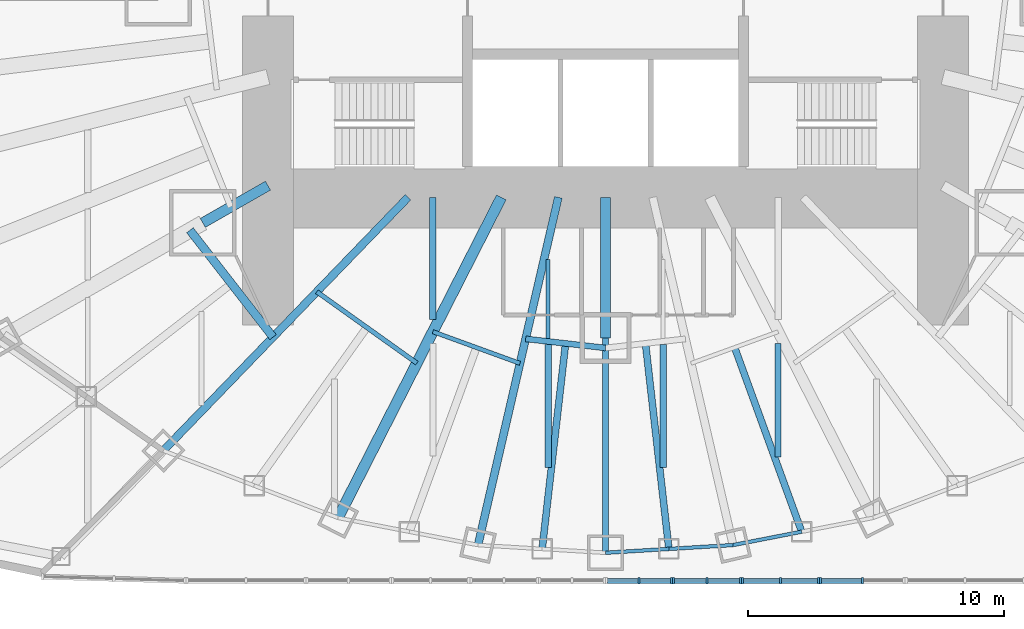
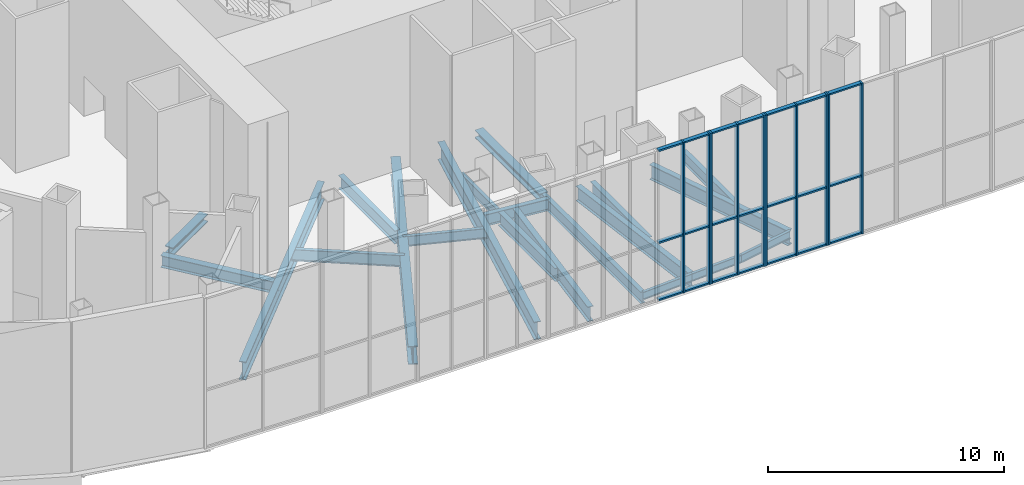
# One storey, part 4 of 74: 31 members, 21 beams, 4 elements without a shape of their own.
"""IFC4 building model written with IfcOpenShell, lengths in metres."""

from ifc_helpers import new_model, si_unit, direction, frame, origin, origin_2d, place, context, subcontext, project, spatial, rectangle, i_section, extrude, material, material_profile, profile_set, type_object, element, aggregate, save


model = new_model("IFC4")

# Units and contexts
model_context = context("Model", 3, precision=1e-05, world=origin(), true_north=direction((0.0, 1.0)))
body_context = subcontext(model_context, "Body", "Model", "MODEL_VIEW")
ifc_project = project(units=[si_unit("LENGTHUNIT", "METRE"), si_unit("AREAUNIT", "SQUARE_METRE"), si_unit("VOLUMEUNIT", "CUBIC_METRE"), si_unit("PLANEANGLEUNIT", "RADIAN"), si_unit("MASSUNIT", "GRAM", prefix="KILO")], contexts=[model_context])

# Site, building, storey
site_placement = place(None, origin())
site = spatial("IfcSite", under=ifc_project, at=site_placement, CompositionType="ELEMENT")
building_placement = place(site_placement, origin())
building = spatial("IfcBuilding", under=site, at=building_placement, Name="Lantaw Convention Tower", CompositionType="ELEMENT")
storey_placement = place(building_placement, frame((0.0, 0.0, 6.5)))
storey = spatial("IfcBuildingStorey", under=building, at=storey_placement, Name="L01", CompositionType="ELEMENT", Elevation=6.5)

# Beams
ifc_material_1 = material(Name="Steel ASTM A992", Category="steel")
ifc_material_profile_1 = material_profile(ifc_material_1, i_section(OverallWidth=0.140380859375, OverallDepth=0.40380859375, WebThickness=0.007080078125, FlangeThickness=0.01123046875, FilletRadius=0.01025390625, at=origin_2d()), Name="W16X31")
ifc_profile_set_1 = profile_set([ifc_material_profile_1], Name="Steel ASTM A992")
beam_type_1 = type_object("IfcBeamType", Name="Beam E W16X31", PredefinedType="SPANDREL", material=ifc_profile_set_1)
beam_1_placement = place(storey_placement, frame((0.0, -21.89990234375, -0.40185546875), z_axis=(0.998175328335, 0.060382231685, 0.0), x_axis=(-0.060382231685, 0.998175328335, 0.0)))
element("IfcBeam", 1, at=beam_1_placement, inside=storey, type_object=beam_type_1, Name="Edge beam 19", PredefinedType="SPANDREL", context=body_context, shape_type="SweptSolid", body=[
    extrude(i_section(OverallWidth=0.140380859375, OverallDepth=0.40380859375, WebThickness=0.007080078125, FlangeThickness=0.01123046875, FilletRadius=0.01025390625, at=origin_2d()), origin(), (0.0, 0.0, 1.0), 2.482666015625),
])
beam_2_placement = place(storey_placement, frame((2.47802734375, -21.75, -0.40185546875), z_axis=(0.998172405641, 0.060430527186, 0.0), x_axis=(-0.060430527186, 0.998172405641, 0.0)))
element("IfcBeam", 2, at=beam_2_placement, inside=storey, type_object=beam_type_1, Name="Edge beam 19", PredefinedType="SPANDREL", context=body_context, shape_type="SweptSolid", body=[
    extrude(i_section(OverallWidth=0.140380859375, OverallDepth=0.40380859375, WebThickness=0.007080078125, FlangeThickness=0.01123046875, FilletRadius=0.01025390625, at=origin_2d()), origin(), (0.0, 0.0, 1.0), 2.512939453125),
])
beam_3_placement = place(storey_placement, frame((4.986328125, -21.59814453125, -0.40185546875), z_axis=(0.981637218105, 0.190757364289, 0.0), x_axis=(-0.190757364289, 0.981637218105, 0.0)))
element("IfcBeam", 3, at=beam_3_placement, inside=storey, type_object=beam_type_1, Name="Edge beam 20", PredefinedType="SPANDREL", context=body_context, shape_type="SweptSolid", body=[
    extrude(i_section(OverallWidth=0.140380859375, OverallDepth=0.40380859375, WebThickness=0.007080078125, FlangeThickness=0.01123046875, FilletRadius=0.01025390625, at=origin_2d()), origin(), (0.0, 0.0, 1.0), 2.735107421875),
])
ifc_material_profile_2 = material_profile(ifc_material_1, i_section(OverallWidth=0.227783203125, OverallDepth=0.60205078125, WebThickness=0.010498046875, FlangeThickness=0.014892578125, FilletRadius=0.012939453125, at=origin_2d()), Name="W24X68")
ifc_profile_set_2 = profile_set([ifc_material_profile_2], Name="Steel ASTM A992")
beam_type_2 = type_object("IfcBeamType", Name="Beam G W24X68", PredefinedType="BEAM", material=ifc_profile_set_2)
beam_4_placement = place(storey_placement, frame((0.0, -13.5, -0.5009765625), z_axis=(0.0, -1.0, 0.0), x_axis=(1.0, 0.0, 0.0)))
element("IfcBeam", 4, at=beam_4_placement, inside=storey, type_object=beam_type_2, Name="Floor girder on ray 19", PredefinedType="BEAM", context=body_context, shape_type="SweptSolid", body=[
    extrude(i_section(OverallWidth=0.227783203125, OverallDepth=0.60205078125, WebThickness=0.010498046875, FlangeThickness=0.014892578125, FilletRadius=0.012939453125, at=origin_2d()), origin(), (0.0, 0.0, 1.0), 8.39990234375),
])
ifc_material_profile_3 = material_profile(ifc_material_1, i_section(OverallWidth=0.2666015625, OverallDepth=0.7568359375, WebThickness=0.013916015625, FlangeThickness=0.019287109375, FilletRadius=0.0126953125, at=origin_2d()), Name="W30X108")
ifc_profile_set_3 = profile_set([ifc_material_profile_3], Name="Steel ASTM A992")
beam_type_3 = type_object("IfcBeamType", Name="Beam G W30X108", PredefinedType="BEAM", material=ifc_profile_set_3)
beam_5_placement = place(storey_placement, frame((1.5625, -13.713134765625, -0.578369140625), z_axis=(0.113183957156, -0.993574049501, 0.0), x_axis=(0.993574049501, 0.113183957156, 0.0)))
element("IfcBeam", 5, at=beam_5_placement, inside=storey, type_object=beam_type_3, Name="Floor girder on bisector 19", PredefinedType="BEAM", context=body_context, shape_type="SweptSolid", body=[
    extrude(i_section(OverallWidth=0.2666015625, OverallDepth=0.7568359375, WebThickness=0.013916015625, FlangeThickness=0.019287109375, FilletRadius=0.0126953125, at=origin_2d()), origin(), (0.0, 0.0, 1.0), 8.0888671875),
])
ifc_material_profile_4 = material_profile(ifc_material_1, i_section(OverallWidth=0.2666015625, OverallDepth=0.76953125, WebThickness=0.015625, FlangeThickness=0.025390625, FilletRadius=0.0126953125, at=origin_2d()), Name="W30X132")
ifc_profile_set_4 = profile_set([ifc_material_profile_4], Name="Steel ASTM A992")
beam_type_4 = type_object("IfcBeamType", Name="Beam G W30X132", PredefinedType="BEAM", material=ifc_profile_set_4)
beam_6_placement = place(storey_placement, frame((-1.5625, -13.713134765625, -0.584716796875), z_axis=(-0.113183957156, -0.993574049501, 0.0), x_axis=(0.993574049501, -0.113183957156, 0.0)))
element("IfcBeam", 6, at=beam_6_placement, inside=storey, type_object=beam_type_4, Name="Floor girder on bisector 18", PredefinedType="BEAM", context=body_context, shape_type="SweptSolid", body=[
    extrude(i_section(OverallWidth=0.2666015625, OverallDepth=0.76953125, WebThickness=0.015625, FlangeThickness=0.025390625, FilletRadius=0.0126953125, at=origin_2d()), origin(), (0.0, 0.0, 1.0), 8.0888671875),
])
beam_7_placement = place(storey_placement, frame((5.04931640625, -13.873046875, -0.584716796875), z_axis=(0.342021781151, -0.939692024664, 0.0), x_axis=(0.939692024664, 0.342021781151, 0.0)))
element("IfcBeam", 7, at=beam_7_placement, inside=storey, type_object=beam_type_4, Name="Floor girder on bisector 20", PredefinedType="BEAM", context=body_context, shape_type="SweptSolid", body=[
    extrude(i_section(OverallWidth=0.2666015625, OverallDepth=0.76953125, WebThickness=0.015625, FlangeThickness=0.025390625, FilletRadius=0.0126953125, at=origin_2d()), origin(), (0.0, 0.0, 1.0), 7.665771484375),
])
ifc_material_profile_5 = material_profile(ifc_material_1, i_section(OverallWidth=0.307373046875, OverallDepth=0.922119140625, WebThickness=0.018310546875, FlangeThickness=0.030029296875, FilletRadius=0.0126953125, at=origin_2d()), Name="W36X182")
ifc_profile_set_5 = profile_set([ifc_material_profile_5], Name="Steel ASTM A992")
beam_type_5 = type_object("IfcBeamType", Name="Beam G W36X182", PredefinedType="BEAM", material=ifc_profile_set_5)
beam_8_placement = place(storey_placement, frame((-1.846923828125, -8.0, -0.660888671875), z_axis=(-0.224952773175, -0.97436966796, 0.0), x_axis=(0.97436966796, -0.224952773175, 0.0)))
element("IfcBeam", 8, at=beam_8_placement, inside=storey, type_object=beam_type_5, Name="Floor girder on ray 18", PredefinedType="BEAM", context=body_context, shape_type="SweptSolid", body=[
    extrude(i_section(OverallWidth=0.307373046875, OverallDepth=0.922119140625, WebThickness=0.018310546875, FlangeThickness=0.030029296875, FilletRadius=0.0126953125, at=origin_2d()), origin(), (0.0, 0.0, 1.0), 13.955810546875),
])
ifc_material_profile_6 = material_profile(ifc_material_1, i_section(OverallWidth=0.307373046875, OverallDepth=0.9423828125, WebThickness=0.022216796875, FlangeThickness=0.039794921875, FilletRadius=0.0126953125, at=origin_2d()), Name="W36X232")
ifc_profile_set_6 = profile_set([ifc_material_profile_6], Name="Steel ASTM A992")
beam_type_6 = type_object("IfcBeamType", Name="Beam G W36X232", PredefinedType="BEAM", material=ifc_profile_set_6)
beam_9_placement = place(storey_placement, frame((-7.7255859375, -8.0, -0.671142578125), z_axis=(-0.694649884291, -0.719347995239, 0.0), x_axis=(0.719347995239, -0.694649884291, 0.0)))
element("IfcBeam", 9, at=beam_9_placement, inside=storey, type_object=beam_type_6, Name="Floor girder on ray 16", PredefinedType="BEAM", context=body_context, shape_type="SweptSolid", body=[
    extrude(i_section(OverallWidth=0.307373046875, OverallDepth=0.9423828125, WebThickness=0.022216796875, FlangeThickness=0.039794921875, FilletRadius=0.0126953125, at=origin_2d()), origin(), (0.0, 0.0, 1.0), 13.769775390625),
])
ifc_material_profile_7 = material_profile(ifc_material_1, i_section(OverallWidth=0.424072265625, OverallDepth=0.947509765625, WebThickness=0.02392578125, FlangeThickness=0.042724609375, FilletRadius=0.012451171875, at=origin_2d()), Name="W36X302")
ifc_profile_set_7 = profile_set([ifc_material_profile_7], Name="Steel ASTM A992")
beam_type_7 = type_object("IfcBeamType", Name="Beam G W36X302", PredefinedType="BEAM", material=ifc_profile_set_7)
beam_10_placement = place(storey_placement, frame((-4.076171875, -8.0, -0.673828125), z_axis=(-0.453997016122, -0.891003203896, 0.0), x_axis=(0.891003203896, -0.453997016122, 0.0)))
element("IfcBeam", 10, at=beam_10_placement, inside=storey, type_object=beam_type_7, Name="Floor girder on ray 17", PredefinedType="BEAM", context=body_context, shape_type="SweptSolid", body=[
    extrude(i_section(OverallWidth=0.424072265625, OverallDepth=0.947509765625, WebThickness=0.02392578125, FlangeThickness=0.042724609375, FilletRadius=0.012451171875, at=origin_2d()), origin(), (0.0, 0.0, 1.0), 14.067138671875),
])
ifc_material_profile_8 = material_profile(ifc_material_1, i_section(OverallWidth=0.40380859375, OverallDepth=0.406494140625, WebThickness=0.027099609375, FlangeThickness=0.043701171875, FilletRadius=0.01513671875, at=origin_2d()), Name="W14X233")
ifc_profile_set_8 = profile_set([ifc_material_profile_8], Name="Steel ASTM A992")
beam_type_8 = type_object("IfcBeamType", Name="Beam GM W14X233", PredefinedType="BEAM", material=ifc_profile_set_8)
beam_11_placement = place(storey_placement, frame((-13.199951171875, -7.54296875, -0.4033203125), z_axis=(-0.868263603466, -0.496103129295, 0.0), x_axis=(0.496103129295, -0.868263603466, 0.0)))
element("IfcBeam", 11, at=beam_11_placement, inside=storey, type_object=beam_type_8, Name="Core link beam on ray 15", PredefinedType="BEAM", context=body_context, shape_type="SweptSolid", body=[
    extrude(i_section(OverallWidth=0.40380859375, OverallDepth=0.406494140625, WebThickness=0.027099609375, FlangeThickness=0.043701171875, FilletRadius=0.01513671875, at=origin_2d()), origin(), (0.0, 0.0, 1.0), 2.93701171875),
])
beam_12_placement = place(storey_placement, frame((0.0, -8.0, -0.4033203125), z_axis=(0.0, -1.0, 0.0), x_axis=(1.0, 0.0, 0.0)))
element("IfcBeam", 12, at=beam_12_placement, inside=storey, type_object=beam_type_8, Name="Core link beam on ray 19", PredefinedType="BEAM", context=body_context, shape_type="SweptSolid", body=[
    extrude(i_section(OverallWidth=0.40380859375, OverallDepth=0.406494140625, WebThickness=0.027099609375, FlangeThickness=0.043701171875, FilletRadius=0.01513671875, at=origin_2d()), origin(), (0.0, 0.0, 1.0), 5.5),
])
ifc_material_profile_9 = material_profile(ifc_material_1, i_section(OverallWidth=0.1650390625, OverallDepth=0.52587890625, WebThickness=0.0087890625, FlangeThickness=0.011474609375, FilletRadius=0.0126953125, at=origin_2d()), Name="W21X44")
ifc_profile_set_9 = profile_set([ifc_material_profile_9], Name="Steel ASTM A992")
beam_type_9 = type_object("IfcBeamType", Name="Beam HC W21X44", PredefinedType="BEAM", material=ifc_profile_set_9)
beam_13_placement = place(storey_placement, frame((-6.752685546875, -13.253173828125, -0.462890625), z_axis=(0.939689171859, -0.342029619025, 0.0), x_axis=(0.342029619025, 0.939689171859, 0.0)))
element("IfcBeam", 13, at=beam_13_placement, inside=storey, type_object=beam_type_9, Name="Collar beam on bisector 17", PredefinedType="BEAM", context=body_context, shape_type="SweptSolid", body=[
    extrude(i_section(OverallWidth=0.1650390625, OverallDepth=0.52587890625, WebThickness=0.0087890625, FlangeThickness=0.011474609375, FilletRadius=0.0126953125, at=origin_2d()), origin(), (0.0, 0.0, 1.0), 3.62548828125),
])
ifc_material_profile_10 = material_profile(ifc_material_1, i_section(OverallWidth=0.3251953125, OverallDepth=0.612060546875, WebThickness=0.0126953125, FlangeThickness=0.01904296875, FilletRadius=0.0126953125, at=origin_2d()), Name="W24X104")
ifc_profile_set_10 = profile_set([ifc_material_profile_10], Name="Steel ASTM A992")
beam_type_10 = type_object("IfcBeamType", Name="Beam HC W24X104", PredefinedType="BEAM", material=ifc_profile_set_10)
beam_14_placement = place(storey_placement, frame((-16.2529296875, -9.287353515625, -0.506103515625), z_axis=(0.613915067401, -0.789372085913, 0.0), x_axis=(0.789372085913, 0.613915067401, 0.0)))
element("IfcBeam", 14, at=beam_14_placement, inside=storey, type_object=beam_type_10, Name="Collar beam on bisector 15", PredefinedType="BEAM", context=body_context, shape_type="SweptSolid", body=[
    extrude(i_section(OverallWidth=0.3251953125, OverallDepth=0.612060546875, WebThickness=0.0126953125, FlangeThickness=0.01904296875, FilletRadius=0.0126953125, at=origin_2d()), origin(), (0.0, 0.0, 1.0), 5.293212890625),
])
ifc_material_profile_11 = material_profile(ifc_material_1, i_section(OverallWidth=0.177978515625, OverallDepth=0.599365234375, WebThickness=0.010009765625, FlangeThickness=0.012939453125, FilletRadius=0.012939453125, at=origin_2d()), Name="W24X55")
ifc_profile_set_11 = profile_set([ifc_material_profile_11], Name="Steel ASTM A992")
beam_type_11 = type_object("IfcBeamType", Name="Beam HC W24X55", PredefinedType="BEAM", material=ifc_profile_set_11)
beam_15_placement = place(storey_placement, frame((-11.291748046875, -11.69287109375, -0.499755859375), z_axis=(0.814110909588, -0.580709416912, 0.0), x_axis=(0.580709416912, 0.814110909588, 0.0)))
element("IfcBeam", 15, at=beam_15_placement, inside=storey, type_object=beam_type_11, Name="Collar beam on bisector 16", PredefinedType="BEAM", context=body_context, shape_type="SweptSolid", body=[
    extrude(i_section(OverallWidth=0.177978515625, OverallDepth=0.599365234375, WebThickness=0.010009765625, FlangeThickness=0.012939453125, FilletRadius=0.012939453125, at=origin_2d()), origin(), (0.0, 0.0, 1.0), 4.805419921875),
])
ifc_material_profile_12 = material_profile(ifc_material_1, i_section(OverallWidth=0.227783203125, OverallDepth=0.60205078125, WebThickness=0.010498046875, FlangeThickness=0.014892578125, FilletRadius=0.012939453125, at=origin_2d()), Name="W24X68")
ifc_profile_set_12 = profile_set([ifc_material_profile_12], Name="Steel ASTM A992")
beam_type_12 = type_object("IfcBeamType", Name="Beam HC W24X68", PredefinedType="BEAM", material=ifc_profile_set_12)
beam_16_placement = place(storey_placement, frame((-3.124755859375, -13.534912109375, -0.5009765625), z_axis=(0.99356540907, -0.113259780595, 0.0), x_axis=(0.113259780595, 0.99356540907, 0.0)))
element("IfcBeam", 16, at=beam_16_placement, inside=storey, type_object=beam_type_12, Name="Collar beam on bisector 18", PredefinedType="BEAM", context=body_context, shape_type="SweptSolid", body=[
    extrude(i_section(OverallWidth=0.227783203125, OverallDepth=0.60205078125, WebThickness=0.010498046875, FlangeThickness=0.014892578125, FilletRadius=0.012939453125, at=origin_2d()), origin(), (0.0, 0.0, 1.0), 3.14501953125),
])
ifc_material_profile_13 = material_profile(ifc_material_1, i_section(OverallWidth=0.165771484375, OverallDepth=0.5283203125, WebThickness=0.009765625, FlangeThickness=0.013671875, FilletRadius=0.012939453125, at=origin_2d()), Name="W21X50")
ifc_profile_set_13 = profile_set([ifc_material_profile_13], Name="Steel ASTM A992")
beam_type_13 = type_object("IfcBeamType", Name="Beam J W21X50", PredefinedType="JOIST", material=ifc_profile_set_13)
beam_17_placement = place(storey_placement, frame((-2.25, -13.52001953125, -0.464111328125), z_axis=(0.0, 1.0, 0.0), x_axis=(-1.0, 0.0, 0.0)))
element("IfcBeam", 17, at=beam_17_placement, inside=storey, type_object=beam_type_13, Name="Floor joist", PredefinedType="JOIST", context=body_context, shape_type="SweptSolid", body=[
    extrude(i_section(OverallWidth=0.165771484375, OverallDepth=0.5283203125, WebThickness=0.009765625, FlangeThickness=0.013671875, FilletRadius=0.012939453125, at=origin_2d()), origin(), (0.0, 0.0, 1.0), 3.091064453125),
])
ifc_material_profile_14 = material_profile(ifc_material_1, i_section(OverallWidth=0.227783203125, OverallDepth=0.60205078125, WebThickness=0.010498046875, FlangeThickness=0.014892578125, FilletRadius=0.012939453125, at=origin_2d()), Name="W24X68")
ifc_profile_set_14 = profile_set([ifc_material_profile_14], Name="Steel ASTM A992")
beam_type_14 = type_object("IfcBeamType", Name="Beam J W24X68", PredefinedType="JOIST", material=ifc_profile_set_14)
beam_18_placement = place(storey_placement, frame((6.75, -18.155517578125, -0.5009765625), z_axis=(0.0, 1.0, 0.0), x_axis=(-1.0, 0.0, 0.0)))
element("IfcBeam", 18, at=beam_18_placement, inside=storey, type_object=beam_type_14, Name="Floor joist", PredefinedType="JOIST", context=body_context, shape_type="SweptSolid", body=[
    extrude(i_section(OverallWidth=0.227783203125, OverallDepth=0.60205078125, WebThickness=0.010498046875, FlangeThickness=0.014892578125, FilletRadius=0.012939453125, at=origin_2d()), origin(), (0.0, 0.0, 1.0), 4.434326171875),
])
ifc_material_profile_15 = material_profile(ifc_material_1, i_section(OverallWidth=0.25390625, OverallDepth=0.683349609375, WebThickness=0.012451171875, FlangeThickness=0.01904296875, FilletRadius=0.01513671875, at=origin_2d()), Name="W27X94")
ifc_profile_set_15 = profile_set([ifc_material_profile_15], Name="Steel ASTM A992")
beam_type_15 = type_object("IfcBeamType", Name="Beam J W27X94", PredefinedType="JOIST", material=ifc_profile_set_15)
beam_19_placement = place(storey_placement, frame((-6.75, -12.780517578125, -0.541748046875), z_axis=(0.0, 1.0, 0.0), x_axis=(-1.0, 0.0, 0.0)))
element("IfcBeam", 19, at=beam_19_placement, inside=storey, type_object=beam_type_15, Name="Floor joist", PredefinedType="JOIST", context=body_context, shape_type="SweptSolid", body=[
    extrude(i_section(OverallWidth=0.25390625, OverallDepth=0.683349609375, WebThickness=0.012451171875, FlangeThickness=0.01904296875, FilletRadius=0.01513671875, at=origin_2d()), origin(), (0.0, 0.0, 1.0), 4.780517578125),
])
for number, where, z_axis, x_axis, name in (
    (20, (-2.25, -18.570068359375, -0.541748046875), (0.0, 1.0, 0.0), (-1.0, 0.0, 0.0), "Floor joist"),
    (21, (2.25, -18.570068359375, -0.541748046875), (0.0, 1.0, 0.0), (-1.0, 0.0, 0.0), "Floor joist"),
):
    element("IfcBeam", number, at=place(storey_placement, frame(where, z_axis=z_axis, x_axis=x_axis)), inside=storey, type_object=beam_type_15, Name=name, PredefinedType="JOIST", context=body_context, shape_type="SweptSolid", body=[
        extrude(i_section(OverallWidth=0.25390625, OverallDepth=0.683349609375, WebThickness=0.012451171875, FlangeThickness=0.01904296875, FilletRadius=0.01513671875, at=origin_2d()), origin(), (0.0, 0.0, 1.0), 4.82080078125),
    ])

# Curtain wall, members
ifc_material_2 = material(Name="Aluminium framed curtain wall", Category="aluminium")
curtain_wall_type = type_object("IfcCurtainWallType", Name="Podium storefront curtain wall, pale aluminium", PredefinedType="USERDEFINED", material=ifc_material_2)
curtain_wall_1_placement = place(storey_placement, origin())
curtain_wall_1 = element("IfcCurtainWall", 22, at=curtain_wall_1_placement, inside=storey, type_object=curtain_wall_type, Name="Podium storefront curtain wall, pale aluminium L01", ObjectType="STOREFRONT", PredefinedType="USERDEFINED")
ifc_material_3 = material(Name="Aluminium 6063-T6", Category="aluminium")
ifc_material_profile_16 = material_profile(ifc_material_3, rectangle(XDim=0.25, YDim=0.080078125, at=origin_2d()), Name="CW-P mullion 80x250")
ifc_profile_set_16 = profile_set([ifc_material_profile_16], Name="Aluminium 6063-T6")
member_type_1 = type_object("IfcMemberType", Name="CW-P mullion 80x250", PredefinedType="MULLION", material=ifc_profile_set_16)
member_1_placement = place(storey_placement, frame((1.310302734375, -23.0, 0.0), z_axis=(0.0, 0.0, 1.0), x_axis=(0.0, 1.0, 0.0)))
member_1 = element("IfcMember", 23, at=member_1_placement, type_object=member_type_1, Name="CW-P mullion 2", PredefinedType="MULLION", context=body_context, shape_type="SweptSolid", body=[
    extrude(rectangle(XDim=0.25, YDim=0.080078125, at=origin_2d()), origin(), (0.0, 0.0, 1.0), 7.800048828125),
])
member_2_placement = place(storey_placement, frame((2.58056640625, -23.0, 0.0), z_axis=(0.0, 0.0, 1.0), x_axis=(0.0, 1.0, 0.0)))
member_2 = element("IfcMember", 24, at=member_2_placement, type_object=member_type_1, Name="CW-P mullion 3", PredefinedType="MULLION", context=body_context, shape_type="SweptSolid", body=[
    extrude(rectangle(XDim=0.25, YDim=0.080078125, at=origin_2d()), origin(), (0.0, 0.0, 1.0), 7.800048828125),
])

curtain_wall_2_placement = place(storey_placement, origin())
curtain_wall_2 = element("IfcCurtainWall", 25, at=curtain_wall_2_placement, inside=storey, type_object=curtain_wall_type, Name="Podium storefront curtain wall, pale aluminium L01", ObjectType="STOREFRONT", PredefinedType="USERDEFINED")
member_3_placement = place(storey_placement, frame((2.660400390625, -23.0, 0.0), z_axis=(0.0, 0.0, 1.0), x_axis=(0.0, 1.0, 0.0)))
member_3 = element("IfcMember", 26, at=member_3_placement, type_object=member_type_1, Name="CW-P mullion 1", PredefinedType="MULLION", context=body_context, shape_type="SweptSolid", body=[
    extrude(rectangle(XDim=0.25, YDim=0.080078125, at=origin_2d()), origin(), (0.0, 0.0, 1.0), 7.800048828125),
])
member_4_placement = place(storey_placement, frame((3.96533203125, -23.0, 0.0), z_axis=(0.0, 0.0, 1.0), x_axis=(0.0, 1.0, 0.0)))
member_4 = element("IfcMember", 27, at=member_4_placement, type_object=member_type_1, Name="CW-P mullion 2", PredefinedType="MULLION", context=body_context, shape_type="SweptSolid", body=[
    extrude(rectangle(XDim=0.25, YDim=0.080078125, at=origin_2d()), origin(), (0.0, 0.0, 1.0), 7.800048828125),
])
member_5_placement = place(storey_placement, frame((5.27001953125, -23.0, 0.0), z_axis=(0.0, 0.0, 1.0), x_axis=(0.0, 1.0, 0.0)))
member_5 = element("IfcMember", 28, at=member_5_placement, type_object=member_type_1, Name="CW-P mullion 3", PredefinedType="MULLION", context=body_context, shape_type="SweptSolid", body=[
    extrude(rectangle(XDim=0.25, YDim=0.080078125, at=origin_2d()), origin(), (0.0, 0.0, 1.0), 7.800048828125),
])

curtain_wall_3_placement = place(storey_placement, origin())
curtain_wall_3 = element("IfcCurtainWall", 29, at=curtain_wall_3_placement, inside=storey, type_object=curtain_wall_type, Name="Podium storefront curtain wall, pale aluminium L01", ObjectType="STOREFRONT", PredefinedType="USERDEFINED")
member_6_placement = place(storey_placement, frame((5.349853515625, -23.0, 0.0), z_axis=(0.0, 0.0, 1.0), x_axis=(0.0, 1.0, 0.0)))
member_6 = element("IfcMember", 30, at=member_6_placement, type_object=member_type_1, Name="CW-P mullion 1", PredefinedType="MULLION", context=body_context, shape_type="SweptSolid", body=[
    extrude(rectangle(XDim=0.25, YDim=0.080078125, at=origin_2d()), origin(), (0.0, 0.0, 1.0), 7.800048828125),
])
member_7_placement = place(storey_placement, frame((6.840576171875, -23.0, 0.0), z_axis=(0.0, 0.0, 1.0), x_axis=(0.0, 1.0, 0.0)))
member_7 = element("IfcMember", 31, at=member_7_placement, type_object=member_type_1, Name="CW-P mullion 2", PredefinedType="MULLION", context=body_context, shape_type="SweptSolid", body=[
    extrude(rectangle(XDim=0.25, YDim=0.080078125, at=origin_2d()), origin(), (0.0, 0.0, 1.0), 7.800048828125),
])
member_8_placement = place(storey_placement, frame((8.331298828125, -23.0, 0.0), z_axis=(0.0, 0.0, 1.0), x_axis=(0.0, 1.0, 0.0)))
member_8 = element("IfcMember", 32, at=member_8_placement, type_object=member_type_1, Name="CW-P mullion 3", PredefinedType="MULLION", context=body_context, shape_type="SweptSolid", body=[
    extrude(rectangle(XDim=0.25, YDim=0.080078125, at=origin_2d()), origin(), (0.0, 0.0, 1.0), 7.800048828125),
])

curtain_wall_4_placement = place(storey_placement, origin())
curtain_wall_4 = element("IfcCurtainWall", 33, at=curtain_wall_4_placement, inside=storey, type_object=curtain_wall_type, Name="Podium storefront curtain wall, pale aluminium L01", ObjectType="STOREFRONT", PredefinedType="USERDEFINED")
member_9_placement = place(storey_placement, frame((8.411376953125, -23.0, 0.0), z_axis=(0.0, 0.0, 1.0), x_axis=(0.0, 1.0, 0.0)))
member_9 = element("IfcMember", 34, at=member_9_placement, type_object=member_type_1, Name="CW-P mullion 1", PredefinedType="MULLION", context=body_context, shape_type="SweptSolid", body=[
    extrude(rectangle(XDim=0.25, YDim=0.080078125, at=origin_2d()), origin(), (0.0, 0.0, 1.0), 7.800048828125),
])
member_10_placement = place(storey_placement, frame((10.045166015625, -23.0, 0.0), z_axis=(0.0, 0.0, 1.0), x_axis=(0.0, 1.0, 0.0)))
member_10 = element("IfcMember", 35, at=member_10_placement, type_object=member_type_1, Name="CW-P mullion 2", PredefinedType="MULLION", context=body_context, shape_type="SweptSolid", body=[
    extrude(rectangle(XDim=0.25, YDim=0.080078125, at=origin_2d()), origin(), (0.0, 0.0, 1.0), 7.800048828125),
])

# Member
ifc_material_profile_17 = material_profile(ifc_material_3, rectangle(XDim=0.199951171875, YDim=0.080078125, at=origin_2d()), Name="CW-P transom 80x200")
ifc_profile_set_17 = profile_set([ifc_material_profile_17], Name="Aluminium 6063-T6")
member_type_2 = type_object("IfcMemberType", Name="CW-P transom 80x200", PredefinedType="USERDEFINED", material=ifc_profile_set_17)
member_11_placement = place(storey_placement, frame((0.080078125, -23.0, 0.0400390625), z_axis=(1.0, 0.0, 0.0), x_axis=(0.0, 1.0, 0.0)))
member_11 = element("IfcMember", 36, at=member_11_placement, type_object=member_type_2, Name="CW-P transom 1.1", ObjectType="TRANSOM", PredefinedType="USERDEFINED", context=body_context, shape_type="SweptSolid", body=[
    extrude(rectangle(XDim=0.199951171875, YDim=0.080078125, at=origin_2d()), origin(), (0.0, 0.0, 1.0), 1.190185546875),
])

member_12_placement = place(storey_placement, frame((0.080078125, -23.0, 3.0), z_axis=(1.0, 0.0, 0.0), x_axis=(0.0, 1.0, 0.0)))
member_12 = element("IfcMember", 37, at=member_12_placement, type_object=member_type_2, Name="CW-P transom 1.2", ObjectType="TRANSOM", PredefinedType="USERDEFINED", context=body_context, shape_type="SweptSolid", body=[
    extrude(rectangle(XDim=0.199951171875, YDim=0.080078125, at=origin_2d()), origin(), (0.0, 0.0, 1.0), 1.190185546875),
])

member_13_placement = place(storey_placement, frame((0.080078125, -23.0, 7.760009765625), z_axis=(1.0, 0.0, 0.0), x_axis=(0.0, 1.0, 0.0)))
member_13 = element("IfcMember", 38, at=member_13_placement, type_object=member_type_2, Name="CW-P transom 1.3", ObjectType="TRANSOM", PredefinedType="USERDEFINED", context=body_context, shape_type="SweptSolid", body=[
    extrude(rectangle(XDim=0.199951171875, YDim=0.080078125, at=origin_2d()), origin(), (0.0, 0.0, 1.0), 1.190185546875),
])

member_14_placement = place(storey_placement, frame((1.350341796875, -23.0, 0.0400390625), z_axis=(1.0, 0.0, 0.0), x_axis=(0.0, 1.0, 0.0)))
member_14 = element("IfcMember", 39, at=member_14_placement, type_object=member_type_2, Name="CW-P transom 2.1", ObjectType="TRANSOM", PredefinedType="USERDEFINED", context=body_context, shape_type="SweptSolid", body=[
    extrude(rectangle(XDim=0.199951171875, YDim=0.080078125, at=origin_2d()), origin(), (0.0, 0.0, 1.0), 1.190185546875),
])

member_15_placement = place(storey_placement, frame((1.350341796875, -23.0, 3.0), z_axis=(1.0, 0.0, 0.0), x_axis=(0.0, 1.0, 0.0)))
member_15 = element("IfcMember", 40, at=member_15_placement, type_object=member_type_2, Name="CW-P transom 2.2", ObjectType="TRANSOM", PredefinedType="USERDEFINED", context=body_context, shape_type="SweptSolid", body=[
    extrude(rectangle(XDim=0.199951171875, YDim=0.080078125, at=origin_2d()), origin(), (0.0, 0.0, 1.0), 1.190185546875),
])

member_16_placement = place(storey_placement, frame((1.350341796875, -23.0, 7.760009765625), z_axis=(1.0, 0.0, 0.0), x_axis=(0.0, 1.0, 0.0)))
member_16 = element("IfcMember", 41, at=member_16_placement, type_object=member_type_2, Name="CW-P transom 2.3", ObjectType="TRANSOM", PredefinedType="USERDEFINED", context=body_context, shape_type="SweptSolid", body=[
    extrude(rectangle(XDim=0.199951171875, YDim=0.080078125, at=origin_2d()), origin(), (0.0, 0.0, 1.0), 1.190185546875),
])

aggregate(curtain_wall_1, [member_1, member_2, member_11, member_12, member_13, member_14, member_15, member_16])

member_17_placement = place(storey_placement, frame((2.700439453125, -23.0, 0.0400390625), z_axis=(1.0, 0.0, 0.0), x_axis=(0.0, 1.0, 0.0)))
member_17 = element("IfcMember", 42, at=member_17_placement, type_object=member_type_2, Name="CW-P transom 1.1", ObjectType="TRANSOM", PredefinedType="USERDEFINED", context=body_context, shape_type="SweptSolid", body=[
    extrude(rectangle(XDim=0.199951171875, YDim=0.080078125, at=origin_2d()), origin(), (0.0, 0.0, 1.0), 1.224853515625),
])

member_18_placement = place(storey_placement, frame((2.700439453125, -23.0, 3.0), z_axis=(1.0, 0.0, 0.0), x_axis=(0.0, 1.0, 0.0)))
member_18 = element("IfcMember", 43, at=member_18_placement, type_object=member_type_2, Name="CW-P transom 1.2", ObjectType="TRANSOM", PredefinedType="USERDEFINED", context=body_context, shape_type="SweptSolid", body=[
    extrude(rectangle(XDim=0.199951171875, YDim=0.080078125, at=origin_2d()), origin(), (0.0, 0.0, 1.0), 1.224853515625),
])

member_19_placement = place(storey_placement, frame((2.700439453125, -23.0, 7.760009765625), z_axis=(1.0, 0.0, 0.0), x_axis=(0.0, 1.0, 0.0)))
member_19 = element("IfcMember", 44, at=member_19_placement, type_object=member_type_2, Name="CW-P transom 1.3", ObjectType="TRANSOM", PredefinedType="USERDEFINED", context=body_context, shape_type="SweptSolid", body=[
    extrude(rectangle(XDim=0.199951171875, YDim=0.080078125, at=origin_2d()), origin(), (0.0, 0.0, 1.0), 1.224853515625),
])

member_20_placement = place(storey_placement, frame((4.005126953125, -23.0, 0.0400390625), z_axis=(1.0, 0.0, 0.0), x_axis=(0.0, 1.0, 0.0)))
member_20 = element("IfcMember", 45, at=member_20_placement, type_object=member_type_2, Name="CW-P transom 2.1", ObjectType="TRANSOM", PredefinedType="USERDEFINED", context=body_context, shape_type="SweptSolid", body=[
    extrude(rectangle(XDim=0.199951171875, YDim=0.080078125, at=origin_2d()), origin(), (0.0, 0.0, 1.0), 1.224853515625),
])

member_21_placement = place(storey_placement, frame((4.005126953125, -23.0, 3.0), z_axis=(1.0, 0.0, 0.0), x_axis=(0.0, 1.0, 0.0)))
member_21 = element("IfcMember", 46, at=member_21_placement, type_object=member_type_2, Name="CW-P transom 2.2", ObjectType="TRANSOM", PredefinedType="USERDEFINED", context=body_context, shape_type="SweptSolid", body=[
    extrude(rectangle(XDim=0.199951171875, YDim=0.080078125, at=origin_2d()), origin(), (0.0, 0.0, 1.0), 1.224853515625),
])

member_22_placement = place(storey_placement, frame((4.005126953125, -23.0, 7.760009765625), z_axis=(1.0, 0.0, 0.0), x_axis=(0.0, 1.0, 0.0)))
member_22 = element("IfcMember", 47, at=member_22_placement, type_object=member_type_2, Name="CW-P transom 2.3", ObjectType="TRANSOM", PredefinedType="USERDEFINED", context=body_context, shape_type="SweptSolid", body=[
    extrude(rectangle(XDim=0.199951171875, YDim=0.080078125, at=origin_2d()), origin(), (0.0, 0.0, 1.0), 1.224853515625),
])

aggregate(curtain_wall_2, [member_3, member_4, member_5, member_17, member_18, member_19, member_20, member_21, member_22])

member_23_placement = place(storey_placement, frame((5.389892578125, -23.0, 0.0400390625), z_axis=(1.0, 0.0, 0.0), x_axis=(0.0, 1.0, 0.0)))
member_23 = element("IfcMember", 48, at=member_23_placement, type_object=member_type_2, Name="CW-P transom 1.1", ObjectType="TRANSOM", PredefinedType="USERDEFINED", context=body_context, shape_type="SweptSolid", body=[
    extrude(rectangle(XDim=0.199951171875, YDim=0.080078125, at=origin_2d()), origin(), (0.0, 0.0, 1.0), 1.41064453125),
])

member_24_placement = place(storey_placement, frame((5.389892578125, -23.0, 3.0), z_axis=(1.0, 0.0, 0.0), x_axis=(0.0, 1.0, 0.0)))
member_24 = element("IfcMember", 49, at=member_24_placement, type_object=member_type_2, Name="CW-P transom 1.2", ObjectType="TRANSOM", PredefinedType="USERDEFINED", context=body_context, shape_type="SweptSolid", body=[
    extrude(rectangle(XDim=0.199951171875, YDim=0.080078125, at=origin_2d()), origin(), (0.0, 0.0, 1.0), 1.41064453125),
])

member_25_placement = place(storey_placement, frame((5.389892578125, -23.0, 7.760009765625), z_axis=(1.0, 0.0, 0.0), x_axis=(0.0, 1.0, 0.0)))
member_25 = element("IfcMember", 50, at=member_25_placement, type_object=member_type_2, Name="CW-P transom 1.3", ObjectType="TRANSOM", PredefinedType="USERDEFINED", context=body_context, shape_type="SweptSolid", body=[
    extrude(rectangle(XDim=0.199951171875, YDim=0.080078125, at=origin_2d()), origin(), (0.0, 0.0, 1.0), 1.41064453125),
])

member_26_placement = place(storey_placement, frame((6.880615234375, -23.0, 0.0400390625), z_axis=(1.0, 0.0, 0.0), x_axis=(0.0, 1.0, 0.0)))
member_26 = element("IfcMember", 51, at=member_26_placement, type_object=member_type_2, Name="CW-P transom 2.1", ObjectType="TRANSOM", PredefinedType="USERDEFINED", context=body_context, shape_type="SweptSolid", body=[
    extrude(rectangle(XDim=0.199951171875, YDim=0.080078125, at=origin_2d()), origin(), (0.0, 0.0, 1.0), 1.41064453125),
])

member_27_placement = place(storey_placement, frame((6.880615234375, -23.0, 3.0), z_axis=(1.0, 0.0, 0.0), x_axis=(0.0, 1.0, 0.0)))
member_27 = element("IfcMember", 52, at=member_27_placement, type_object=member_type_2, Name="CW-P transom 2.2", ObjectType="TRANSOM", PredefinedType="USERDEFINED", context=body_context, shape_type="SweptSolid", body=[
    extrude(rectangle(XDim=0.199951171875, YDim=0.080078125, at=origin_2d()), origin(), (0.0, 0.0, 1.0), 1.41064453125),
])

member_28_placement = place(storey_placement, frame((6.880615234375, -23.0, 7.760009765625), z_axis=(1.0, 0.0, 0.0), x_axis=(0.0, 1.0, 0.0)))
member_28 = element("IfcMember", 53, at=member_28_placement, type_object=member_type_2, Name="CW-P transom 2.3", ObjectType="TRANSOM", PredefinedType="USERDEFINED", context=body_context, shape_type="SweptSolid", body=[
    extrude(rectangle(XDim=0.199951171875, YDim=0.080078125, at=origin_2d()), origin(), (0.0, 0.0, 1.0), 1.41064453125),
])

aggregate(curtain_wall_3, [member_6, member_7, member_8, member_23, member_24, member_25, member_26, member_27, member_28])

member_29_placement = place(storey_placement, frame((8.451416015625, -23.0, 0.0400390625), z_axis=(1.0, 0.0, 0.0), x_axis=(0.0, 1.0, 0.0)))
member_29 = element("IfcMember", 54, at=member_29_placement, type_object=member_type_2, Name="CW-P transom 1.1", ObjectType="TRANSOM", PredefinedType="USERDEFINED", context=body_context, shape_type="SweptSolid", body=[
    extrude(rectangle(XDim=0.199951171875, YDim=0.080078125, at=origin_2d()), origin(), (0.0, 0.0, 1.0), 1.5537109375),
])

member_30_placement = place(storey_placement, frame((8.451416015625, -23.0, 3.0), z_axis=(1.0, 0.0, 0.0), x_axis=(0.0, 1.0, 0.0)))
member_30 = element("IfcMember", 55, at=member_30_placement, type_object=member_type_2, Name="CW-P transom 1.2", ObjectType="TRANSOM", PredefinedType="USERDEFINED", context=body_context, shape_type="SweptSolid", body=[
    extrude(rectangle(XDim=0.199951171875, YDim=0.080078125, at=origin_2d()), origin(), (0.0, 0.0, 1.0), 1.5537109375),
])

member_31_placement = place(storey_placement, frame((8.451416015625, -23.0, 7.760009765625), z_axis=(1.0, 0.0, 0.0), x_axis=(0.0, 1.0, 0.0)))
member_31 = element("IfcMember", 56, at=member_31_placement, type_object=member_type_2, Name="CW-P transom 1.3", ObjectType="TRANSOM", PredefinedType="USERDEFINED", context=body_context, shape_type="SweptSolid", body=[
    extrude(rectangle(XDim=0.199951171875, YDim=0.080078125, at=origin_2d()), origin(), (0.0, 0.0, 1.0), 1.5537109375),
])

aggregate(curtain_wall_4, [member_9, member_10, member_29, member_30, member_31])

save(model, "model.ifc")
